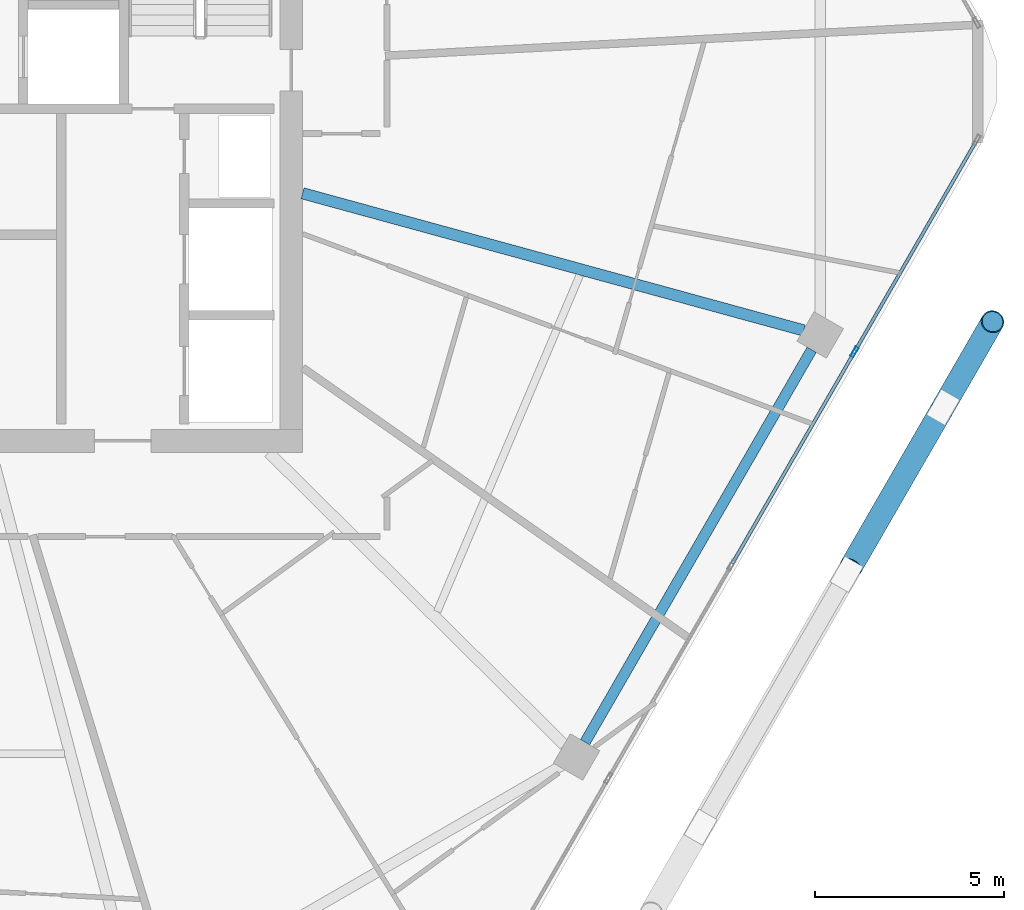
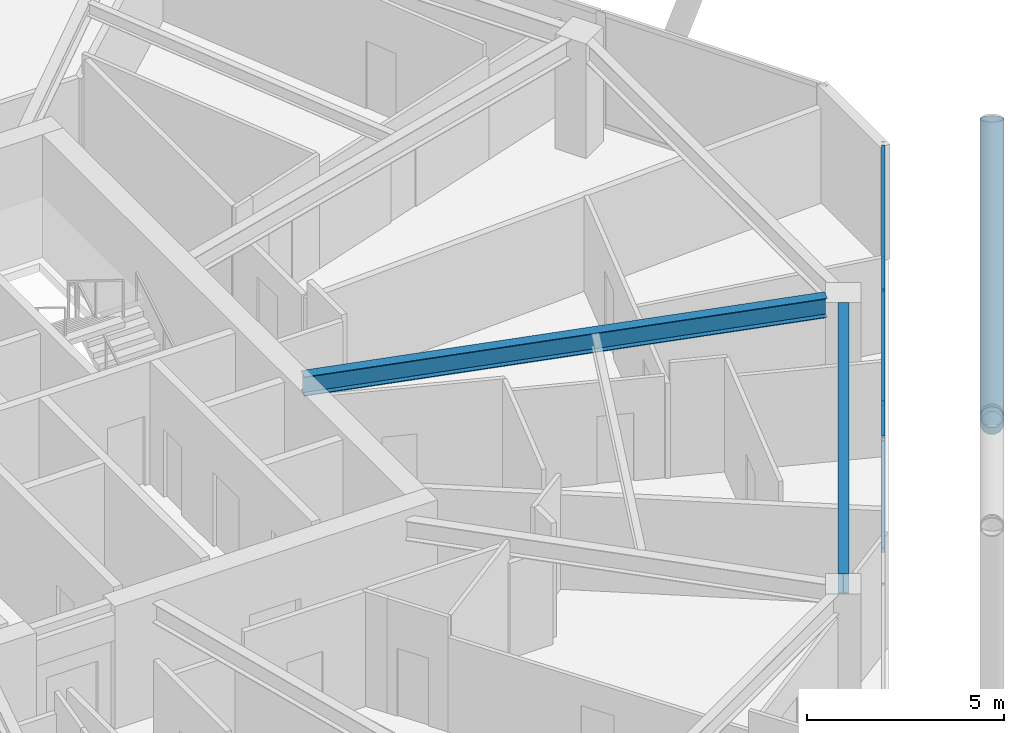
# One storey, part 10 of 28: 7 members, 2 beams, 1 element without a shape of its own.
"""IFC4 building model written with IfcOpenShell, lengths in metres."""

from ifc_helpers import new_model, si_unit, direction, frame, origin, origin_2d, place, context, subcontext, project, spatial, hollow_rectangle, hollow_circle, i_section, extrude, material, material_profile, profile_set, type_object, element, aggregate, save


model = new_model("IFC4")

# Units and contexts
model_context = context("Model", 3, precision=1e-05, world=origin(), true_north=direction((0.0, 1.0)))
body_context = subcontext(model_context, "Body", "Model", "MODEL_VIEW")
ifc_project = project(units=[si_unit("LENGTHUNIT", "METRE"), si_unit("AREAUNIT", "SQUARE_METRE"), si_unit("VOLUMEUNIT", "CUBIC_METRE"), si_unit("PLANEANGLEUNIT", "RADIAN"), si_unit("MASSUNIT", "GRAM", prefix="KILO")], contexts=[model_context])

# Site, building, storey
site_placement = place(None, origin())
site = spatial("IfcSite", under=ifc_project, at=site_placement, CompositionType="ELEMENT")
building_placement = place(site_placement, origin())
building = spatial("IfcBuilding", under=site, at=building_placement, Name="Zuhravey Tower", CompositionType="ELEMENT")
storey_placement = place(building_placement, frame((0.0, 0.0, 254.0)))
storey = spatial("IfcBuildingStorey", under=building, at=storey_placement, Name="L64", CompositionType="ELEMENT", Elevation=254.0)

# Curtain wall, members
ifc_material_1 = material(Name="Thermally broken anodised aluminium", Category="aluminium")
curtain_wall_type = type_object("IfcCurtainWallType", Name="Zone 3-4 High-Rise Curtain Wall CW4", PredefinedType="NOTDEFINED", material=ifc_material_1)
curtain_wall_placement = place(storey_placement, origin())
curtain_wall = element("IfcCurtainWall", 1, at=curtain_wall_placement, inside=storey, type_object=curtain_wall_type, Name="L64 CW4 CW-L64-F6-1", PredefinedType="NOTDEFINED")
ifc_material_2 = material(Name="Anodised aluminium", Category="aluminium")
ifc_material_profile_1 = material_profile(ifc_material_2, hollow_rectangle(XDim=0.090087890625, YDim=0.284912109375, WallThickness=0.0048828125, at=origin_2d()), Name="ALU-RHS-90x285x5")
ifc_profile_set_1 = profile_set([ifc_material_profile_1], Name="Anodised aluminium")
member_type_1 = type_object("IfcMemberType", Name="Curtain-Wall Mullion 90x180", PredefinedType="MULLION", material=ifc_profile_set_1)
member_1_placement = place(storey_placement, frame((61.391845703125, 24.852783203125, 0.0), z_axis=(0.0, 0.0, 1.0), x_axis=(0.866024851021, -0.500000957414, 0.0)))
member_1 = element("IfcMember", 2, at=member_1_placement, type_object=member_type_1, Name="CW4 mullion 2", PredefinedType="MULLION", context=body_context, shape_type="SweptSolid", body=[
    extrude(hollow_rectangle(XDim=0.090087890625, YDim=0.284912109375, WallThickness=0.0048828125, at=origin_2d()), origin(), (0.0, 0.0, 1.0), 3.550048828125),
])
ifc_material_profile_2 = material_profile(ifc_material_2, hollow_rectangle(XDim=0.090087890625, YDim=0.14990234375, WallThickness=0.0048828125, at=origin_2d()), Name="ALU-RHS-90x150x5")
ifc_profile_set_2 = profile_set([ifc_material_profile_2], Name="Anodised aluminium")
member_type_2 = type_object("IfcMemberType", Name="Curtain-Wall Transom 90x150", PredefinedType="USERDEFINED", material=ifc_profile_set_2)
member_2_placement = place(storey_placement, frame((64.60009765625, 30.40966796875, 0.044921875), z_axis=(-0.500008810174, -0.866020317169, 0.0), x_axis=(0.866020317169, -0.500008810174, 0.0)))
member_2 = element("IfcMember", 3, at=member_2_placement, type_object=member_type_2, Name="CW4 transom 1.1", ObjectType="TRANSOM", PredefinedType="USERDEFINED", context=body_context, shape_type="SweptSolid", body=[
    extrude(hollow_rectangle(XDim=0.090087890625, YDim=0.14990234375, WallThickness=0.0048828125, at=origin_2d()), origin(), (0.0, 0.0, 1.0), 6.37158203125),
])
member_3_placement = place(storey_placement, frame((64.60009765625, 30.40966796875, 3.5048828125), z_axis=(-0.500008810174, -0.866020317169, 0.0), x_axis=(0.866020317169, -0.500008810174, 0.0)))
member_3 = element("IfcMember", 4, at=member_3_placement, type_object=member_type_2, Name="CW4 transom 1.2", ObjectType="TRANSOM", PredefinedType="USERDEFINED", context=body_context, shape_type="SweptSolid", body=[
    extrude(hollow_rectangle(XDim=0.090087890625, YDim=0.14990234375, WallThickness=0.0048828125, at=origin_2d()), origin(), (0.0, 0.0, 1.0), 6.37158203125),
])
member_4_placement = place(storey_placement, frame((61.369384765625, 24.81396484375, 0.044921875), z_axis=(-0.499998017366, -0.866026548456, 0.0), x_axis=(0.866026548456, -0.499998017366, 0.0)))
member_4 = element("IfcMember", 5, at=member_4_placement, type_object=member_type_2, Name="CW4 transom 2.1", ObjectType="TRANSOM", PredefinedType="USERDEFINED", context=body_context, shape_type="SweptSolid", body=[
    extrude(hollow_rectangle(XDim=0.090087890625, YDim=0.14990234375, WallThickness=0.0048828125, at=origin_2d()), origin(), (0.0, 0.0, 1.0), 6.41650390625),
])
member_5_placement = place(storey_placement, frame((61.369384765625, 24.81396484375, 3.5048828125), z_axis=(-0.499998017366, -0.866026548456, 0.0), x_axis=(0.866026548456, -0.499998017366, 0.0)))
member_5 = element("IfcMember", 6, at=member_5_placement, type_object=member_type_2, Name="CW4 transom 2.2", ObjectType="TRANSOM", PredefinedType="USERDEFINED", context=body_context, shape_type="SweptSolid", body=[
    extrude(hollow_rectangle(XDim=0.090087890625, YDim=0.14990234375, WallThickness=0.0048828125, at=origin_2d()), origin(), (0.0, 0.0, 1.0), 6.41650390625),
])
aggregate(curtain_wall, [member_1, member_2, member_3, member_4, member_5])

# Members
ifc_material_3 = material(Name="Steel SM355", Category="steel")
ifc_material_profile_3 = material_profile(ifc_material_3, hollow_circle(Radius=0.3046875, WallThickness=0.028076171875, at=origin_2d()), Name="CHS-609.6x28")
ifc_profile_set_3 = profile_set([ifc_material_profile_3], Name="Steel SM355")
member_type_3 = type_object("IfcMemberType", Name="Exoskeleton Zone 3 Diagrid CHS610x28", PredefinedType="BRACE", material=ifc_profile_set_3)
member_6_placement = place(storey_placement, frame((63.73583984375, 23.392822265625, -0.446044921875), z_axis=(0.163030622365, 0.282366718953, 0.945351813982), x_axis=(-0.866017274468, 0.500014080125, 0.0)))
element("IfcMember", 7, at=member_6_placement, inside=storey, type_object=member_type_3, Name="L64 Face 6 Diagrid Brace 4", PredefinedType="BRACE", context=body_context, shape_type="SweptSolid", body=[
    extrude(hollow_circle(Radius=0.3046875, WallThickness=0.028076171875, at=origin_2d()), origin(), (0.0, 0.0, 1.0), 8.001220703125),
])
member_7_placement = place(storey_placement, frame((63.716552734375, 23.359130859375, -0.439697265625), z_axis=(-0.400881411374, -0.694285413611, 0.597713860021), x_axis=(0.866006207073, -0.500033248206, 0.0)))
element("IfcMember", 8, at=member_7_placement, inside=storey, type_object=member_type_3, Name="L64 Face 6 Split Diagrid Brace 3A", PredefinedType="BRACE", context=body_context, shape_type="SweptSolid", body=[
    extrude(hollow_circle(Radius=0.3046875, WallThickness=0.028076171875, at=origin_2d()), origin(), (0.0, 0.0, 1.0), 6.02197265625),
])

# Beams
ifc_material_profile_4 = material_profile(ifc_material_3, i_section(OverallWidth=0.280029296875, OverallDepth=0.6201171875, WebThickness=0.011962890625, FlangeThickness=0.02001953125, at=origin_2d()), Name="H-620x280x12x20")
ifc_profile_set_4 = profile_set([ifc_material_profile_4], Name="Steel SM355")
beam_type_1 = type_object("IfcBeamType", Name="Perimeter Ring Beam H620x280", PredefinedType="BEAM", material=ifc_profile_set_4)
beam_1_placement = place(storey_placement, frame((54.27001953125, 14.53759765625, 3.239990234375), z_axis=(0.500017744717, 0.866015158625, 0.0), x_axis=(-0.866015158625, 0.500017744717, 0.0)))
element("IfcBeam", 9, at=beam_1_placement, inside=storey, type_object=beam_type_1, Name="L64 PB3 BM-L64-PB-11", PredefinedType="BEAM", context=body_context, shape_type="SweptSolid", body=[
    extrude(i_section(OverallWidth=0.280029296875, OverallDepth=0.6201171875, WebThickness=0.011962890625, FlangeThickness=0.02001953125, at=origin_2d()), origin(), (0.0, 0.0, 1.0), 11.9755859375),
])
ifc_material_profile_5 = material_profile(ifc_material_3, i_section(OverallWidth=0.300048828125, OverallDepth=0.60009765625, WebThickness=0.011962890625, FlangeThickness=0.02001953125, at=origin_2d()), Name="H-600x300x12x20")
ifc_profile_set_5 = profile_set([ifc_material_profile_5], Name="Steel SM355")
beam_type_2 = type_object("IfcBeamType", Name="Radial Primary Girder H600x300", PredefinedType="BEAM", material=ifc_profile_set_5)
beam_2_placement = place(storey_placement, frame((46.802978515625, 29.04443359375, 3.25), z_axis=(0.964548913045, -0.26390413855, 0.0), x_axis=(0.26390413855, 0.964548913045, 0.0)))
element("IfcBeam", 10, at=beam_2_placement, inside=storey, type_object=beam_type_2, Name="L64 RG3 BM-L64-RAD-12", PredefinedType="BEAM", context=body_context, shape_type="SweptSolid", body=[
    extrude(i_section(OverallWidth=0.300048828125, OverallDepth=0.60009765625, WebThickness=0.011962890625, FlangeThickness=0.02001953125, at=origin_2d()), origin(), (0.0, 0.0, 1.0), 13.7314453125),
])

save(model, "model.ifc")
